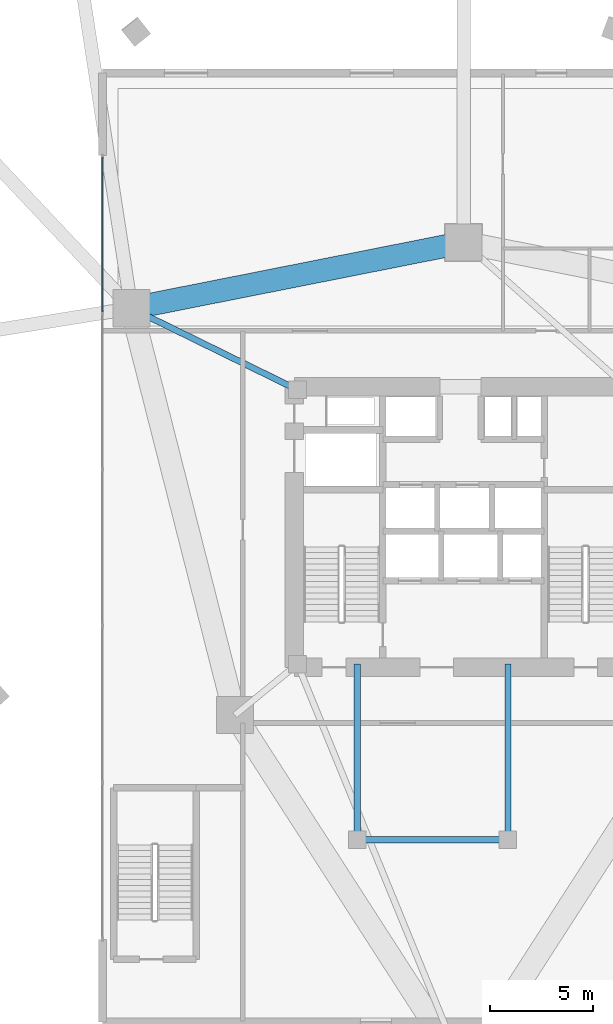
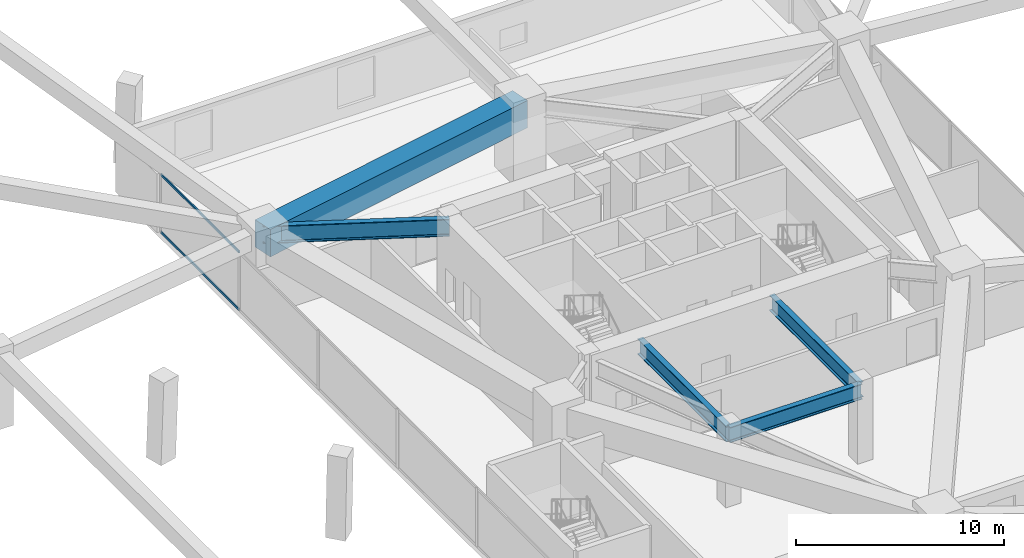
# One storey, part 6 of 15: 5 beams, 2 members, 1 element without a shape of its own.
"""IFC4 building model written with IfcOpenShell, lengths in metres."""

from ifc_helpers import new_model, si_unit, direction, frame, origin, origin_2d, place, context, subcontext, project, spatial, rectangle, i_section, extrude, material, layer, layer_set, material_profile, profile_set, type_object, element, aggregate, save


model = new_model("IFC4")

# Units and contexts
model_context = context("Model", 3, precision=1e-05, world=origin(), true_north=direction((0.0, 1.0)))
body_context = subcontext(model_context, "Body", "Model", "MODEL_VIEW")
ifc_project = project(units=[si_unit("LENGTHUNIT", "METRE"), si_unit("AREAUNIT", "SQUARE_METRE"), si_unit("VOLUMEUNIT", "CUBIC_METRE"), si_unit("PLANEANGLEUNIT", "RADIAN"), si_unit("MASSUNIT", "GRAM", prefix="KILO")], contexts=[model_context])

# Site, building, storey
site_placement = place(None, origin())
site = spatial("IfcSite", under=ifc_project, at=site_placement, CompositionType="ELEMENT")
building_placement = place(site_placement, origin())
building = spatial("IfcBuilding", under=site, at=building_placement, Name="Talyreon Biosciences Tower", CompositionType="ELEMENT")
storey_placement = place(building_placement, frame((0.0, 0.0, 5.39990234375)))
storey = spatial("IfcBuildingStorey", under=building, at=storey_placement, Name="L01", CompositionType="ELEMENT", Elevation=5.39990234375)

# Curtain wall, members
ifc_material_1 = material(Name="Thermally broken aluminium and low-E glazing", Category="aluminium")
ifc_layer = layer(ifc_material_1, 0.219970703125)
ifc_layer_set = layer_set([ifc_layer], Name="Thermally broken aluminium and low-E glazing")
curtain_wall_type = type_object("IfcCurtainWallType", Name="CurtainWall_PodiumDoubleHeight", PredefinedType="NOTDEFINED", material=ifc_layer_set)
curtain_wall_placement = place(storey_placement, origin())
curtain_wall = element("IfcCurtainWall", 1, at=curtain_wall_placement, inside=storey, type_object=curtain_wall_type, Name="L01 Unitised Curtain Wall FCW-L01-W", PredefinedType="NOTDEFINED")
ifc_material_2 = material(Name="Anodised thermally broken aluminium", Category="aluminium")
ifc_material_profile_1 = material_profile(ifc_material_2, rectangle(XDim=0.06494140625, YDim=0.139892578125, at=origin_2d()), Name="ALUM TRANSOM 65x140")
ifc_profile_set_1 = profile_set([ifc_material_profile_1], Name="Anodised thermally broken aluminium")
member_type = type_object("IfcMemberType", Name="CWTransom_65x140", PredefinedType="USERDEFINED", material=ifc_profile_set_1)
member_1_placement = place(storey_placement, frame((48.5, 78.4375, 0.03271484375), z_axis=(0.0, 1.0, 0.0), x_axis=(-1.0, 0.0, 0.0)))
member_1 = element("IfcMember", 2, at=member_1_placement, type_object=member_type, Name="CW1 transom 5.1", ObjectType="TRANSOM", PredefinedType="USERDEFINED", context=body_context, shape_type="SweptSolid", body=[
    extrude(rectangle(XDim=0.06494140625, YDim=0.139892578125, at=origin_2d()), origin(), (0.0, 0.0, 1.0), 7.487548828125),
])
member_2_placement = place(storey_placement, frame((48.5, 78.4375, 3.397705078125), z_axis=(0.0, 1.0, 0.0), x_axis=(-1.0, 0.0, 0.0)))
member_2 = element("IfcMember", 3, at=member_2_placement, type_object=member_type, Name="CW1 transom 5.2", ObjectType="TRANSOM", PredefinedType="USERDEFINED", context=body_context, shape_type="SweptSolid", body=[
    extrude(rectangle(XDim=0.06494140625, YDim=0.139892578125, at=origin_2d()), origin(), (0.0, 0.0, 1.0), 7.487548828125),
])
aggregate(curtain_wall, [member_1, member_2])

# Beams
ifc_material_3 = material(Name="Steel SM420", Category="steel")
ifc_material_profile_2 = material_profile(ifc_material_3, i_section(OverallWidth=0.302001953125, OverallDepth=1.008056640625, WebThickness=0.02099609375, FlangeThickness=0.0400390625, FilletRadius=0.030029296875, at=origin_2d()), Name="HE1000M")
ifc_profile_set_2 = profile_set([ifc_material_profile_2], Name="Steel SM420")
beam_type_1 = type_object("IfcBeamType", Name="SteelGirder_HE1000M", PredefinedType="BEAM", material=ifc_profile_set_2)
beam_1_placement = place(storey_placement, frame((57.949951171875, 74.64990234375, 3.89599609375), z_axis=(-0.897852360314, 0.440296648952, 0.0), x_axis=(-0.440296648952, -0.897852360314, 0.0)))
element("IfcBeam", 4, at=beam_1_placement, inside=storey, type_object=beam_type_1, Name="L01 Radial Primary Girder 5", PredefinedType="BEAM", context=body_context, shape_type="SweptSolid", body=[
    extrude(i_section(OverallWidth=0.302001953125, OverallDepth=1.008056640625, WebThickness=0.02099609375, FlangeThickness=0.0400390625, FilletRadius=0.030029296875, at=origin_2d()), origin(), (0.0, 0.0, 1.0), 8.96826171875),
])
ifc_material_profile_3 = material_profile(ifc_material_3, i_section(OverallWidth=0.300048828125, OverallDepth=0.89990234375, WebThickness=0.0185546875, FlangeThickness=0.034912109375, FilletRadius=0.030029296875, at=origin_2d()), Name="HE900B")
ifc_profile_set_3 = profile_set([ifc_material_profile_3], Name="Steel SM420")
beam_type_2 = type_object("IfcBeamType", Name="SteelGirder_HE900B", PredefinedType="BEAM", material=ifc_profile_set_3)
beam_2_placement = place(storey_placement, frame((60.85009765625, 52.840087890625, 3.9501953125), z_axis=(1.0, 0.0, 0.0), x_axis=(0.0, 1.0, 0.0)))
element("IfcBeam", 5, at=beam_2_placement, inside=storey, type_object=beam_type_2, Name="L01 Crown Shaft Spine Girder S", PredefinedType="BEAM", context=body_context, shape_type="SweptSolid", body=[
    extrude(i_section(OverallWidth=0.300048828125, OverallDepth=0.89990234375, WebThickness=0.0185546875, FlangeThickness=0.034912109375, FilletRadius=0.030029296875, at=origin_2d()), origin(), (0.0, 0.0, 1.0), 7.2998046875),
])
for number, where, z_axis, x_axis, name in (
    (6, (60.85009765625, 52.840087890625, 3.9501953125), (0.0, 1.0, 0.0), (-1.0, 0.0, 0.0), "L01 Crown Shaft Tie Girder W"),
    (7, (68.14990234375, 52.840087890625, 3.9501953125), (0.0, 1.0, 0.0), (-1.0, 0.0, 0.0), "L01 Crown Shaft Tie Girder E"),
):
    element("IfcBeam", number, at=place(storey_placement, frame(where, z_axis=z_axis, x_axis=x_axis)), inside=storey, type_object=beam_type_2, Name=name, PredefinedType="BEAM", context=body_context, shape_type="SweptSolid", body=[
        extrude(i_section(OverallWidth=0.300048828125, OverallDepth=0.89990234375, WebThickness=0.0185546875, FlangeThickness=0.034912109375, FilletRadius=0.030029296875, at=origin_2d()), origin(), (0.0, 0.0, 1.0), 8.510009765625),
    ])
ifc_material_4 = material(Name="Concrete C50/60", Category="concrete")
ifc_material_profile_4 = material_profile(ifc_material_4, rectangle(XDim=1.10009765625, YDim=1.60009765625, at=origin_2d()), Name="RCB 1100x1600")
ifc_profile_set_4 = profile_set([ifc_material_profile_4], Name="Concrete C50/60")
beam_type_3 = type_object("IfcBeamType", Name="TransferGirder_1100x1600", PredefinedType="T_BEAM", material=ifc_profile_set_4)
beam_3_placement = place(storey_placement, frame((66.0, 81.788818359375, 3.60009765625), z_axis=(-0.980933730698, -0.194342522311, 0.0), x_axis=(0.194342522311, -0.980933730698, 0.0)))
element("IfcBeam", 8, at=beam_3_placement, inside=storey, type_object=beam_type_3, Name="L01 Mega-Ring Girder 4", PredefinedType="T_BEAM", context=body_context, shape_type="SweptSolid", body=[
    extrude(rectangle(XDim=1.10009765625, YDim=1.60009765625, at=origin_2d()), origin(), (0.0, 0.0, 1.0), 16.415283203125),
])

save(model, "model.ifc")
